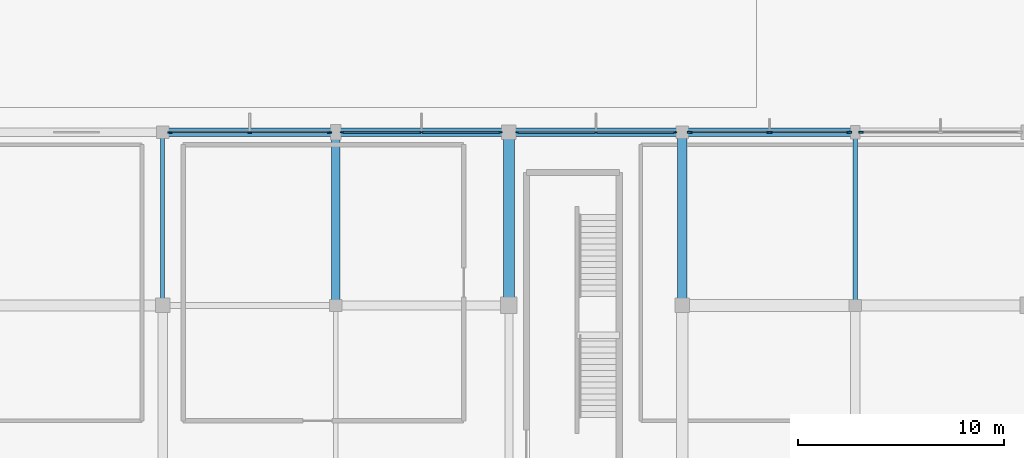
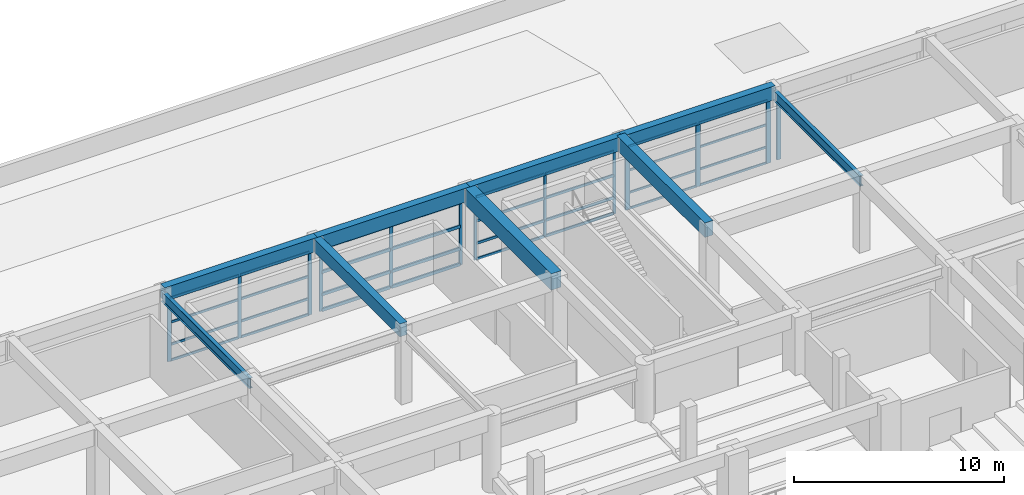
# One storey, part 26 of 60: 45 members, 9 beams, 5 elements without a shape of their own.
"""IFC4 building model written with IfcOpenShell, lengths in metres."""

from ifc_helpers import new_model, si_unit, direction, frame, origin, origin_2d, place, context, subcontext, project, spatial, rectangle, i_section, extrude, material, material_profile, profile_set, type_object, element, aggregate, save


model = new_model("IFC4")

# Units and contexts
model_context = context("Model", 3, precision=1e-05, world=origin(), true_north=direction((0.0, 1.0)))
body_context = subcontext(model_context, "Body", "Model", "MODEL_VIEW")
ifc_project = project(units=[si_unit("LENGTHUNIT", "METRE"), si_unit("AREAUNIT", "SQUARE_METRE"), si_unit("VOLUMEUNIT", "CUBIC_METRE"), si_unit("PLANEANGLEUNIT", "RADIAN"), si_unit("MASSUNIT", "GRAM", prefix="KILO")], contexts=[model_context])

# Site, building, storey
site_placement = place(None, origin())
site = spatial("IfcSite", under=ifc_project, at=site_placement, CompositionType="ELEMENT")
building_placement = place(site_placement, origin())
building = spatial("IfcBuilding", under=site, at=building_placement, Name="Xuanlan Plaza Opera House", CompositionType="ELEMENT")
storey_placement = place(building_placement, frame((0.0, 0.0, 9.89990234375)))
storey = spatial("IfcBuildingStorey", under=building, at=storey_placement, Name="L02", CompositionType="ELEMENT", Elevation=9.89990234375)

# Curtain wall, members
ifc_material_1 = material(Name="Anodised Aluminium 6063-T6 and Low-E Glass", Category="aluminium")
curtain_wall_type_1 = type_object("IfcCurtainWallType", Name="ENV-CW-CW-06", PredefinedType="USERDEFINED", material=ifc_material_1)
curtain_wall_1_placement = place(storey_placement, origin())
curtain_wall_1 = element("IfcCurtainWall", 1, at=curtain_wall_1_placement, inside=storey, type_object=curtain_wall_type_1, Name="Acoustic Glazed Wall L02-037", ObjectType="ACOUSTIC GLAZED WALL", PredefinedType="USERDEFINED")
ifc_material_2 = material(Name="Anodised Aluminium 6063-T6", Category="aluminium")
ifc_material_profile_1 = material_profile(ifc_material_2, rectangle(XDim=0.06494140625, YDim=0.159912109375, at=origin_2d()), Name="ALU-M 65x160")
ifc_profile_set_1 = profile_set([ifc_material_profile_1], Name="Anodised Aluminium 6063-T6")
member_type_1 = type_object("IfcMemberType", Name="ENV-CWM-01", PredefinedType="MULLION", material=ifc_profile_set_1)
member_1_placement = place(storey_placement, frame((92.047607421875, 100.800048828125, 0.0), z_axis=(0.0, 0.0, 1.0), x_axis=(0.0, -1.0, 0.0)))
member_1 = element("IfcMember", 2, at=member_1_placement, type_object=member_type_1, Name="CW-06 mullion 1", PredefinedType="MULLION", context=body_context, shape_type="SweptSolid", body=[
    extrude(rectangle(XDim=0.06494140625, YDim=0.159912109375, at=origin_2d()), origin(), (0.0, 0.0, 1.0), 3.68017578125),
])
member_2_placement = place(storey_placement, frame((88.22509765625, 100.800048828125, 0.0), z_axis=(0.0, 0.0, 1.0), x_axis=(0.0, -1.0, 0.0)))
member_2 = element("IfcMember", 3, at=member_2_placement, type_object=member_type_1, Name="CW-06 mullion 2", PredefinedType="MULLION", context=body_context, shape_type="SweptSolid", body=[
    extrude(rectangle(XDim=0.06494140625, YDim=0.159912109375, at=origin_2d()), origin(), (0.0, 0.0, 1.0), 3.68017578125),
])
member_3_placement = place(storey_placement, frame((84.402587890625, 100.800048828125, 0.0), z_axis=(0.0, 0.0, 1.0), x_axis=(0.0, -1.0, 0.0)))
member_3 = element("IfcMember", 4, at=member_3_placement, type_object=member_type_1, Name="CW-06 mullion 3", PredefinedType="MULLION", context=body_context, shape_type="SweptSolid", body=[
    extrude(rectangle(XDim=0.06494140625, YDim=0.159912109375, at=origin_2d()), origin(), (0.0, 0.0, 1.0), 3.68017578125),
])

curtain_wall_type_2 = type_object("IfcCurtainWallType", Name="ENV-CW-CW-05", PredefinedType="USERDEFINED", material=ifc_material_1)
curtain_wall_2_placement = place(storey_placement, origin())
curtain_wall_2 = element("IfcCurtainWall", 5, at=curtain_wall_2_placement, inside=storey, type_object=curtain_wall_type_2, Name="Acoustic Glazed Wall L02-038", ObjectType="ACOUSTIC GLAZED WALL", PredefinedType="USERDEFINED")
ifc_material_profile_2 = material_profile(ifc_material_2, rectangle(XDim=0.070068359375, YDim=0.179931640625, at=origin_2d()), Name="ALU-M 70x180")
ifc_profile_set_2 = profile_set([ifc_material_profile_2], Name="Anodised Aluminium 6063-T6")
member_type_2 = type_object("IfcMemberType", Name="ENV-CWM-02", PredefinedType="MULLION", material=ifc_profile_set_2)
member_4_placement = place(storey_placement, frame((83.594970703125, 100.800048828125, 0.0), z_axis=(0.0, 0.0, 1.0), x_axis=(0.0, -1.0, 0.0)))
member_4 = element("IfcMember", 6, at=member_4_placement, type_object=member_type_2, Name="CW-05 mullion 1", PredefinedType="MULLION", context=body_context, shape_type="SweptSolid", body=[
    extrude(rectangle(XDim=0.070068359375, YDim=0.179931640625, at=origin_2d()), origin(), (0.0, 0.0, 1.0), 3.68017578125),
])
member_5_placement = place(storey_placement, frame((79.75, 100.800048828125, 0.0), z_axis=(0.0, 0.0, 1.0), x_axis=(0.0, -1.0, 0.0)))
member_5 = element("IfcMember", 7, at=member_5_placement, type_object=member_type_2, Name="CW-05 mullion 2", PredefinedType="MULLION", context=body_context, shape_type="SweptSolid", body=[
    extrude(rectangle(XDim=0.070068359375, YDim=0.179931640625, at=origin_2d()), origin(), (0.0, 0.0, 1.0), 3.68017578125),
])
member_6_placement = place(storey_placement, frame((75.905029296875, 100.800048828125, 0.0), z_axis=(0.0, 0.0, 1.0), x_axis=(0.0, -1.0, 0.0)))
member_6 = element("IfcMember", 8, at=member_6_placement, type_object=member_type_2, Name="CW-05 mullion 3", PredefinedType="MULLION", context=body_context, shape_type="SweptSolid", body=[
    extrude(rectangle(XDim=0.070068359375, YDim=0.179931640625, at=origin_2d()), origin(), (0.0, 0.0, 1.0), 3.68017578125),
])

curtain_wall_3_placement = place(storey_placement, origin())
curtain_wall_3 = element("IfcCurtainWall", 9, at=curtain_wall_3_placement, inside=storey, type_object=curtain_wall_type_1, Name="Acoustic Glazed Wall L02-039", ObjectType="ACOUSTIC GLAZED WALL", PredefinedType="USERDEFINED")
ifc_material_profile_3 = material_profile(ifc_material_2, rectangle(XDim=0.074951171875, YDim=0.199951171875, at=origin_2d()), Name="ALU-M 75x200")
ifc_profile_set_3 = profile_set([ifc_material_profile_3], Name="Anodised Aluminium 6063-T6")
member_type_3 = type_object("IfcMemberType", Name="ENV-CWM-03", PredefinedType="MULLION", material=ifc_profile_set_3)
member_7_placement = place(storey_placement, frame((75.29248046875, 100.800048828125, 0.0), z_axis=(0.0, 0.0, 1.0), x_axis=(0.0, -1.0, 0.0)))
member_7 = element("IfcMember", 10, at=member_7_placement, type_object=member_type_3, Name="CW-06 mullion 1", PredefinedType="MULLION", context=body_context, shape_type="SweptSolid", body=[
    extrude(rectangle(XDim=0.074951171875, YDim=0.199951171875, at=origin_2d()), origin(), (0.0, 0.0, 1.0), 3.68017578125),
])
member_8_placement = place(storey_placement, frame((71.425048828125, 100.800048828125, 0.0), z_axis=(0.0, 0.0, 1.0), x_axis=(0.0, -1.0, 0.0)))
member_8 = element("IfcMember", 11, at=member_8_placement, type_object=member_type_3, Name="CW-06 mullion 2", PredefinedType="MULLION", context=body_context, shape_type="SweptSolid", body=[
    extrude(rectangle(XDim=0.074951171875, YDim=0.199951171875, at=origin_2d()), origin(), (0.0, 0.0, 1.0), 3.68017578125),
])
member_9_placement = place(storey_placement, frame((67.5576171875, 100.800048828125, 0.0), z_axis=(0.0, 0.0, 1.0), x_axis=(0.0, -1.0, 0.0)))
member_9 = element("IfcMember", 12, at=member_9_placement, type_object=member_type_3, Name="CW-06 mullion 3", PredefinedType="MULLION", context=body_context, shape_type="SweptSolid", body=[
    extrude(rectangle(XDim=0.074951171875, YDim=0.199951171875, at=origin_2d()), origin(), (0.0, 0.0, 1.0), 3.68017578125),
])

# Curtain wall, member
curtain_wall_4_placement = place(storey_placement, origin())
curtain_wall_4 = element("IfcCurtainWall", 13, at=curtain_wall_4_placement, inside=storey, type_object=curtain_wall_type_1, Name="Acoustic Glazed Wall L02-035", ObjectType="ACOUSTIC GLAZED WALL", PredefinedType="USERDEFINED")
ifc_material_profile_4 = material_profile(ifc_material_2, rectangle(XDim=0.080078125, YDim=0.219970703125, at=origin_2d()), Name="ALU-M 80x220")
ifc_profile_set_4 = profile_set([ifc_material_profile_4], Name="Anodised Aluminium 6063-T6")
member_type_4 = type_object("IfcMemberType", Name="ENV-CWM-04", PredefinedType="MULLION", material=ifc_profile_set_4)
member_10_placement = place(storey_placement, frame((101.0849609375, 100.800048828125, 0.0), z_axis=(0.0, 0.0, 1.0), x_axis=(0.0, -1.0, 0.0)))
member_10 = element("IfcMember", 14, at=member_10_placement, type_object=member_type_4, Name="CW-06 mullion 3", PredefinedType="MULLION", context=body_context, shape_type="SweptSolid", body=[
    extrude(rectangle(XDim=0.080078125, YDim=0.219970703125, at=origin_2d()), origin(), (0.0, 0.0, 1.0), 3.68017578125),
])
aggregate(curtain_wall_4, [member_10])

# Curtain wall, members
curtain_wall_5_placement = place(storey_placement, origin())
curtain_wall_5 = element("IfcCurtainWall", 15, at=curtain_wall_5_placement, inside=storey, type_object=curtain_wall_type_2, Name="Acoustic Glazed Wall L02-036", ObjectType="ACOUSTIC GLAZED WALL", PredefinedType="USERDEFINED")
ifc_material_profile_5 = material_profile(ifc_material_2, rectangle(XDim=0.090087890625, YDim=0.25, at=origin_2d()), Name="ALU-M 90x250")
ifc_profile_set_5 = profile_set([ifc_material_profile_5], Name="Anodised Aluminium 6063-T6")
member_type_5 = type_object("IfcMemberType", Name="ENV-CWM-05", PredefinedType="MULLION", material=ifc_profile_set_5)
member_11_placement = place(storey_placement, frame((100.510009765625, 100.800048828125, 0.0), z_axis=(0.0, 0.0, 1.0), x_axis=(0.0, -1.0, 0.0)))
member_11 = element("IfcMember", 16, at=member_11_placement, type_object=member_type_5, Name="CW-05 mullion 1", PredefinedType="MULLION", context=body_context, shape_type="SweptSolid", body=[
    extrude(rectangle(XDim=0.090087890625, YDim=0.25, at=origin_2d()), origin(), (0.0, 0.0, 1.0), 3.68017578125),
])
member_12_placement = place(storey_placement, frame((96.637451171875, 100.800048828125, 0.0), z_axis=(0.0, 0.0, 1.0), x_axis=(0.0, -1.0, 0.0)))
member_12 = element("IfcMember", 17, at=member_12_placement, type_object=member_type_5, Name="CW-05 mullion 2", PredefinedType="MULLION", context=body_context, shape_type="SweptSolid", body=[
    extrude(rectangle(XDim=0.090087890625, YDim=0.25, at=origin_2d()), origin(), (0.0, 0.0, 1.0), 3.68017578125),
])
member_13_placement = place(storey_placement, frame((92.764892578125, 100.800048828125, 0.0), z_axis=(0.0, 0.0, 1.0), x_axis=(0.0, -1.0, 0.0)))
member_13 = element("IfcMember", 18, at=member_13_placement, type_object=member_type_5, Name="CW-05 mullion 3", PredefinedType="MULLION", context=body_context, shape_type="SweptSolid", body=[
    extrude(rectangle(XDim=0.090087890625, YDim=0.25, at=origin_2d()), origin(), (0.0, 0.0, 1.0), 3.68017578125),
])
ifc_material_profile_6 = material_profile(ifc_material_2, rectangle(XDim=0.06494140625, YDim=0.1201171875, at=origin_2d()), Name="ALU-T 65x120")
ifc_profile_set_6 = profile_set([ifc_material_profile_6], Name="Anodised Aluminium 6063-T6")
member_type_6 = type_object("IfcMemberType", Name="ENV-CWT-01", PredefinedType="USERDEFINED", material=ifc_profile_set_6)
member_14_placement = place(storey_placement, frame((100.465087890625, 100.800048828125, 0.03271484375), z_axis=(-1.0, 0.0, 0.0), x_axis=(0.0, -1.0, 0.0)))
member_14 = element("IfcMember", 19, at=member_14_placement, type_object=member_type_6, Name="CW-05 transom 1.1", ObjectType="TRANSOM", PredefinedType="USERDEFINED", context=body_context, shape_type="SweptSolid", body=[
    extrude(rectangle(XDim=0.06494140625, YDim=0.1201171875, at=origin_2d()), origin(), (0.0, 0.0, 1.0), 3.782470703125),
])
member_15_placement = place(storey_placement, frame((100.465087890625, 100.800048828125, 0.9501953125), z_axis=(-1.0, 0.0, 0.0), x_axis=(0.0, -1.0, 0.0)))
member_15 = element("IfcMember", 20, at=member_15_placement, type_object=member_type_6, Name="CW-05 transom 1.2", ObjectType="TRANSOM", PredefinedType="USERDEFINED", context=body_context, shape_type="SweptSolid", body=[
    extrude(rectangle(XDim=0.06494140625, YDim=0.1201171875, at=origin_2d()), origin(), (0.0, 0.0, 1.0), 3.782470703125),
])
member_16_placement = place(storey_placement, frame((100.465087890625, 100.800048828125, 2.25), z_axis=(-1.0, 0.0, 0.0), x_axis=(0.0, -1.0, 0.0)))
member_16 = element("IfcMember", 21, at=member_16_placement, type_object=member_type_6, Name="CW-05 transom 1.3", ObjectType="TRANSOM", PredefinedType="USERDEFINED", context=body_context, shape_type="SweptSolid", body=[
    extrude(rectangle(XDim=0.06494140625, YDim=0.1201171875, at=origin_2d()), origin(), (0.0, 0.0, 1.0), 3.782470703125),
])
member_17_placement = place(storey_placement, frame((100.465087890625, 100.800048828125, 3.647705078125), z_axis=(-1.0, 0.0, 0.0), x_axis=(0.0, -1.0, 0.0)))
member_17 = element("IfcMember", 22, at=member_17_placement, type_object=member_type_6, Name="CW-05 transom 1.4", ObjectType="TRANSOM", PredefinedType="USERDEFINED", context=body_context, shape_type="SweptSolid", body=[
    extrude(rectangle(XDim=0.06494140625, YDim=0.1201171875, at=origin_2d()), origin(), (0.0, 0.0, 1.0), 3.782470703125),
])
member_18_placement = place(storey_placement, frame((96.592529296875, 100.800048828125, 0.03271484375), z_axis=(-1.0, 0.0, 0.0), x_axis=(0.0, -1.0, 0.0)))
member_18 = element("IfcMember", 23, at=member_18_placement, type_object=member_type_6, Name="CW-05 transom 2.1", ObjectType="TRANSOM", PredefinedType="USERDEFINED", context=body_context, shape_type="SweptSolid", body=[
    extrude(rectangle(XDim=0.06494140625, YDim=0.1201171875, at=origin_2d()), origin(), (0.0, 0.0, 1.0), 3.782470703125),
])
member_19_placement = place(storey_placement, frame((96.592529296875, 100.800048828125, 0.9501953125), z_axis=(-1.0, 0.0, 0.0), x_axis=(0.0, -1.0, 0.0)))
member_19 = element("IfcMember", 24, at=member_19_placement, type_object=member_type_6, Name="CW-05 transom 2.2", ObjectType="TRANSOM", PredefinedType="USERDEFINED", context=body_context, shape_type="SweptSolid", body=[
    extrude(rectangle(XDim=0.06494140625, YDim=0.1201171875, at=origin_2d()), origin(), (0.0, 0.0, 1.0), 3.782470703125),
])
member_20_placement = place(storey_placement, frame((96.592529296875, 100.800048828125, 2.25), z_axis=(-1.0, 0.0, 0.0), x_axis=(0.0, -1.0, 0.0)))
member_20 = element("IfcMember", 25, at=member_20_placement, type_object=member_type_6, Name="CW-05 transom 2.3", ObjectType="TRANSOM", PredefinedType="USERDEFINED", context=body_context, shape_type="SweptSolid", body=[
    extrude(rectangle(XDim=0.06494140625, YDim=0.1201171875, at=origin_2d()), origin(), (0.0, 0.0, 1.0), 3.782470703125),
])
member_21_placement = place(storey_placement, frame((96.592529296875, 100.800048828125, 3.647705078125), z_axis=(-1.0, 0.0, 0.0), x_axis=(0.0, -1.0, 0.0)))
member_21 = element("IfcMember", 26, at=member_21_placement, type_object=member_type_6, Name="CW-05 transom 2.4", ObjectType="TRANSOM", PredefinedType="USERDEFINED", context=body_context, shape_type="SweptSolid", body=[
    extrude(rectangle(XDim=0.06494140625, YDim=0.1201171875, at=origin_2d()), origin(), (0.0, 0.0, 1.0), 3.782470703125),
])
aggregate(curtain_wall_5, [member_11, member_12, member_13, member_14, member_15, member_16, member_17, member_18, member_19, member_20, member_21])

# Member
ifc_material_profile_7 = material_profile(ifc_material_2, rectangle(XDim=0.070068359375, YDim=0.135009765625, at=origin_2d()), Name="ALU-T 70x135")
ifc_profile_set_7 = profile_set([ifc_material_profile_7], Name="Anodised Aluminium 6063-T6")
member_type_7 = type_object("IfcMemberType", Name="ENV-CWT-02", PredefinedType="USERDEFINED", material=ifc_profile_set_7)
member_22_placement = place(storey_placement, frame((75.2548828125, 100.800048828125, 0.03515625), z_axis=(-1.0, 0.0, 0.0), x_axis=(0.0, -1.0, 0.0)))
member_22 = element("IfcMember", 27, at=member_22_placement, type_object=member_type_7, Name="CW-06 transom 1.1", ObjectType="TRANSOM", PredefinedType="USERDEFINED", context=body_context, shape_type="SweptSolid", body=[
    extrude(rectangle(XDim=0.070068359375, YDim=0.135009765625, at=origin_2d()), origin(), (0.0, 0.0, 1.0), 3.79248046875),
])

member_23_placement = place(storey_placement, frame((75.2548828125, 100.800048828125, 0.9501953125), z_axis=(-1.0, 0.0, 0.0), x_axis=(0.0, -1.0, 0.0)))
member_23 = element("IfcMember", 28, at=member_23_placement, type_object=member_type_7, Name="CW-06 transom 1.2", ObjectType="TRANSOM", PredefinedType="USERDEFINED", context=body_context, shape_type="SweptSolid", body=[
    extrude(rectangle(XDim=0.070068359375, YDim=0.135009765625, at=origin_2d()), origin(), (0.0, 0.0, 1.0), 3.79248046875),
])

member_24_placement = place(storey_placement, frame((75.2548828125, 100.800048828125, 2.25), z_axis=(-1.0, 0.0, 0.0), x_axis=(0.0, -1.0, 0.0)))
member_24 = element("IfcMember", 29, at=member_24_placement, type_object=member_type_7, Name="CW-06 transom 1.3", ObjectType="TRANSOM", PredefinedType="USERDEFINED", context=body_context, shape_type="SweptSolid", body=[
    extrude(rectangle(XDim=0.070068359375, YDim=0.135009765625, at=origin_2d()), origin(), (0.0, 0.0, 1.0), 3.79248046875),
])

member_25_placement = place(storey_placement, frame((75.2548828125, 100.800048828125, 3.64501953125), z_axis=(-1.0, 0.0, 0.0), x_axis=(0.0, -1.0, 0.0)))
member_25 = element("IfcMember", 30, at=member_25_placement, type_object=member_type_7, Name="CW-06 transom 1.4", ObjectType="TRANSOM", PredefinedType="USERDEFINED", context=body_context, shape_type="SweptSolid", body=[
    extrude(rectangle(XDim=0.070068359375, YDim=0.135009765625, at=origin_2d()), origin(), (0.0, 0.0, 1.0), 3.79248046875),
])

member_26_placement = place(storey_placement, frame((71.387451171875, 100.800048828125, 0.03515625), z_axis=(-1.0, 0.0, 0.0), x_axis=(0.0, -1.0, 0.0)))
member_26 = element("IfcMember", 31, at=member_26_placement, type_object=member_type_7, Name="CW-06 transom 2.1", ObjectType="TRANSOM", PredefinedType="USERDEFINED", context=body_context, shape_type="SweptSolid", body=[
    extrude(rectangle(XDim=0.070068359375, YDim=0.135009765625, at=origin_2d()), origin(), (0.0, 0.0, 1.0), 3.79248046875),
])

member_27_placement = place(storey_placement, frame((71.387451171875, 100.800048828125, 0.9501953125), z_axis=(-1.0, 0.0, 0.0), x_axis=(0.0, -1.0, 0.0)))
member_27 = element("IfcMember", 32, at=member_27_placement, type_object=member_type_7, Name="CW-06 transom 2.2", ObjectType="TRANSOM", PredefinedType="USERDEFINED", context=body_context, shape_type="SweptSolid", body=[
    extrude(rectangle(XDim=0.070068359375, YDim=0.135009765625, at=origin_2d()), origin(), (0.0, 0.0, 1.0), 3.79248046875),
])

member_28_placement = place(storey_placement, frame((71.387451171875, 100.800048828125, 2.25), z_axis=(-1.0, 0.0, 0.0), x_axis=(0.0, -1.0, 0.0)))
member_28 = element("IfcMember", 33, at=member_28_placement, type_object=member_type_7, Name="CW-06 transom 2.3", ObjectType="TRANSOM", PredefinedType="USERDEFINED", context=body_context, shape_type="SweptSolid", body=[
    extrude(rectangle(XDim=0.070068359375, YDim=0.135009765625, at=origin_2d()), origin(), (0.0, 0.0, 1.0), 3.79248046875),
])

member_29_placement = place(storey_placement, frame((71.387451171875, 100.800048828125, 3.64501953125), z_axis=(-1.0, 0.0, 0.0), x_axis=(0.0, -1.0, 0.0)))
member_29 = element("IfcMember", 34, at=member_29_placement, type_object=member_type_7, Name="CW-06 transom 2.4", ObjectType="TRANSOM", PredefinedType="USERDEFINED", context=body_context, shape_type="SweptSolid", body=[
    extrude(rectangle(XDim=0.070068359375, YDim=0.135009765625, at=origin_2d()), origin(), (0.0, 0.0, 1.0), 3.79248046875),
])

aggregate(curtain_wall_3, [member_7, member_8, member_9, member_22, member_23, member_24, member_25, member_26, member_27, member_28, member_29])

ifc_material_profile_8 = material_profile(ifc_material_2, rectangle(XDim=0.074951171875, YDim=0.14990234375, at=origin_2d()), Name="ALU-T 75x150")
ifc_profile_set_8 = profile_set([ifc_material_profile_8], Name="Anodised Aluminium 6063-T6")
member_type_8 = type_object("IfcMemberType", Name="ENV-CWT-03", PredefinedType="USERDEFINED", material=ifc_profile_set_8)
member_30_placement = place(storey_placement, frame((92.014892578125, 100.800048828125, 0.03759765625), z_axis=(-1.0, 0.0, 0.0), x_axis=(0.0, -1.0, 0.0)))
member_30 = element("IfcMember", 35, at=member_30_placement, type_object=member_type_8, Name="CW-06 transom 1.1", ObjectType="TRANSOM", PredefinedType="USERDEFINED", context=body_context, shape_type="SweptSolid", body=[
    extrude(rectangle(XDim=0.074951171875, YDim=0.14990234375, at=origin_2d()), origin(), (0.0, 0.0, 1.0), 3.75732421875),
])

member_31_placement = place(storey_placement, frame((92.014892578125, 100.800048828125, 0.9501953125), z_axis=(-1.0, 0.0, 0.0), x_axis=(0.0, -1.0, 0.0)))
member_31 = element("IfcMember", 36, at=member_31_placement, type_object=member_type_8, Name="CW-06 transom 1.2", ObjectType="TRANSOM", PredefinedType="USERDEFINED", context=body_context, shape_type="SweptSolid", body=[
    extrude(rectangle(XDim=0.074951171875, YDim=0.14990234375, at=origin_2d()), origin(), (0.0, 0.0, 1.0), 3.75732421875),
])

member_32_placement = place(storey_placement, frame((92.014892578125, 100.800048828125, 2.25), z_axis=(-1.0, 0.0, 0.0), x_axis=(0.0, -1.0, 0.0)))
member_32 = element("IfcMember", 37, at=member_32_placement, type_object=member_type_8, Name="CW-06 transom 1.3", ObjectType="TRANSOM", PredefinedType="USERDEFINED", context=body_context, shape_type="SweptSolid", body=[
    extrude(rectangle(XDim=0.074951171875, YDim=0.14990234375, at=origin_2d()), origin(), (0.0, 0.0, 1.0), 3.75732421875),
])

member_33_placement = place(storey_placement, frame((92.014892578125, 100.800048828125, 3.642578125), z_axis=(-1.0, 0.0, 0.0), x_axis=(0.0, -1.0, 0.0)))
member_33 = element("IfcMember", 38, at=member_33_placement, type_object=member_type_8, Name="CW-06 transom 1.4", ObjectType="TRANSOM", PredefinedType="USERDEFINED", context=body_context, shape_type="SweptSolid", body=[
    extrude(rectangle(XDim=0.074951171875, YDim=0.14990234375, at=origin_2d()), origin(), (0.0, 0.0, 1.0), 3.75732421875),
])

member_34_placement = place(storey_placement, frame((88.1923828125, 100.800048828125, 0.03759765625), z_axis=(-1.0, 0.0, 0.0), x_axis=(0.0, -1.0, 0.0)))
member_34 = element("IfcMember", 39, at=member_34_placement, type_object=member_type_8, Name="CW-06 transom 2.1", ObjectType="TRANSOM", PredefinedType="USERDEFINED", context=body_context, shape_type="SweptSolid", body=[
    extrude(rectangle(XDim=0.074951171875, YDim=0.14990234375, at=origin_2d()), origin(), (0.0, 0.0, 1.0), 3.75732421875),
])

member_35_placement = place(storey_placement, frame((88.1923828125, 100.800048828125, 0.9501953125), z_axis=(-1.0, 0.0, 0.0), x_axis=(0.0, -1.0, 0.0)))
member_35 = element("IfcMember", 40, at=member_35_placement, type_object=member_type_8, Name="CW-06 transom 2.2", ObjectType="TRANSOM", PredefinedType="USERDEFINED", context=body_context, shape_type="SweptSolid", body=[
    extrude(rectangle(XDim=0.074951171875, YDim=0.14990234375, at=origin_2d()), origin(), (0.0, 0.0, 1.0), 3.75732421875),
])

member_36_placement = place(storey_placement, frame((88.1923828125, 100.800048828125, 2.25), z_axis=(-1.0, 0.0, 0.0), x_axis=(0.0, -1.0, 0.0)))
member_36 = element("IfcMember", 41, at=member_36_placement, type_object=member_type_8, Name="CW-06 transom 2.3", ObjectType="TRANSOM", PredefinedType="USERDEFINED", context=body_context, shape_type="SweptSolid", body=[
    extrude(rectangle(XDim=0.074951171875, YDim=0.14990234375, at=origin_2d()), origin(), (0.0, 0.0, 1.0), 3.75732421875),
])

member_37_placement = place(storey_placement, frame((88.1923828125, 100.800048828125, 3.642578125), z_axis=(-1.0, 0.0, 0.0), x_axis=(0.0, -1.0, 0.0)))
member_37 = element("IfcMember", 42, at=member_37_placement, type_object=member_type_8, Name="CW-06 transom 2.4", ObjectType="TRANSOM", PredefinedType="USERDEFINED", context=body_context, shape_type="SweptSolid", body=[
    extrude(rectangle(XDim=0.074951171875, YDim=0.14990234375, at=origin_2d()), origin(), (0.0, 0.0, 1.0), 3.75732421875),
])

aggregate(curtain_wall_1, [member_1, member_2, member_3, member_30, member_31, member_32, member_33, member_34, member_35, member_36, member_37])

ifc_material_profile_9 = material_profile(ifc_material_2, rectangle(XDim=0.090087890625, YDim=0.179931640625, at=origin_2d()), Name="ALU-T 90x180")
ifc_profile_set_9 = profile_set([ifc_material_profile_9], Name="Anodised Aluminium 6063-T6")
member_type_9 = type_object("IfcMemberType", Name="ENV-CWT-05", PredefinedType="USERDEFINED", material=ifc_profile_set_9)
member_38_placement = place(storey_placement, frame((83.56005859375, 100.800048828125, 0.045166015625), z_axis=(-1.0, 0.0, 0.0), x_axis=(0.0, -1.0, 0.0)))
member_38 = element("IfcMember", 43, at=member_38_placement, type_object=member_type_9, Name="CW-05 transom 1.1", ObjectType="TRANSOM", PredefinedType="USERDEFINED", context=body_context, shape_type="SweptSolid", body=[
    extrude(rectangle(XDim=0.090087890625, YDim=0.179931640625, at=origin_2d()), origin(), (0.0, 0.0, 1.0), 3.775146484375),
])

member_39_placement = place(storey_placement, frame((83.56005859375, 100.800048828125, 0.9501953125), z_axis=(-1.0, 0.0, 0.0), x_axis=(0.0, -1.0, 0.0)))
member_39 = element("IfcMember", 44, at=member_39_placement, type_object=member_type_9, Name="CW-05 transom 1.2", ObjectType="TRANSOM", PredefinedType="USERDEFINED", context=body_context, shape_type="SweptSolid", body=[
    extrude(rectangle(XDim=0.090087890625, YDim=0.179931640625, at=origin_2d()), origin(), (0.0, 0.0, 1.0), 3.775146484375),
])

member_40_placement = place(storey_placement, frame((83.56005859375, 100.800048828125, 2.25), z_axis=(-1.0, 0.0, 0.0), x_axis=(0.0, -1.0, 0.0)))
member_40 = element("IfcMember", 45, at=member_40_placement, type_object=member_type_9, Name="CW-05 transom 1.3", ObjectType="TRANSOM", PredefinedType="USERDEFINED", context=body_context, shape_type="SweptSolid", body=[
    extrude(rectangle(XDim=0.090087890625, YDim=0.179931640625, at=origin_2d()), origin(), (0.0, 0.0, 1.0), 3.775146484375),
])

member_41_placement = place(storey_placement, frame((83.56005859375, 100.800048828125, 3.635009765625), z_axis=(-1.0, 0.0, 0.0), x_axis=(0.0, -1.0, 0.0)))
member_41 = element("IfcMember", 46, at=member_41_placement, type_object=member_type_9, Name="CW-05 transom 1.4", ObjectType="TRANSOM", PredefinedType="USERDEFINED", context=body_context, shape_type="SweptSolid", body=[
    extrude(rectangle(XDim=0.090087890625, YDim=0.179931640625, at=origin_2d()), origin(), (0.0, 0.0, 1.0), 3.775146484375),
])

member_42_placement = place(storey_placement, frame((79.715087890625, 100.800048828125, 0.045166015625), z_axis=(-1.0, 0.0, 0.0), x_axis=(0.0, -1.0, 0.0)))
member_42 = element("IfcMember", 47, at=member_42_placement, type_object=member_type_9, Name="CW-05 transom 2.1", ObjectType="TRANSOM", PredefinedType="USERDEFINED", context=body_context, shape_type="SweptSolid", body=[
    extrude(rectangle(XDim=0.090087890625, YDim=0.179931640625, at=origin_2d()), origin(), (0.0, 0.0, 1.0), 3.775146484375),
])

member_43_placement = place(storey_placement, frame((79.715087890625, 100.800048828125, 0.9501953125), z_axis=(-1.0, 0.0, 0.0), x_axis=(0.0, -1.0, 0.0)))
member_43 = element("IfcMember", 48, at=member_43_placement, type_object=member_type_9, Name="CW-05 transom 2.2", ObjectType="TRANSOM", PredefinedType="USERDEFINED", context=body_context, shape_type="SweptSolid", body=[
    extrude(rectangle(XDim=0.090087890625, YDim=0.179931640625, at=origin_2d()), origin(), (0.0, 0.0, 1.0), 3.775146484375),
])

member_44_placement = place(storey_placement, frame((79.715087890625, 100.800048828125, 2.25), z_axis=(-1.0, 0.0, 0.0), x_axis=(0.0, -1.0, 0.0)))
member_44 = element("IfcMember", 49, at=member_44_placement, type_object=member_type_9, Name="CW-05 transom 2.3", ObjectType="TRANSOM", PredefinedType="USERDEFINED", context=body_context, shape_type="SweptSolid", body=[
    extrude(rectangle(XDim=0.090087890625, YDim=0.179931640625, at=origin_2d()), origin(), (0.0, 0.0, 1.0), 3.775146484375),
])

member_45_placement = place(storey_placement, frame((79.715087890625, 100.800048828125, 3.635009765625), z_axis=(-1.0, 0.0, 0.0), x_axis=(0.0, -1.0, 0.0)))
member_45 = element("IfcMember", 50, at=member_45_placement, type_object=member_type_9, Name="CW-05 transom 2.4", ObjectType="TRANSOM", PredefinedType="USERDEFINED", context=body_context, shape_type="SweptSolid", body=[
    extrude(rectangle(XDim=0.090087890625, YDim=0.179931640625, at=origin_2d()), origin(), (0.0, 0.0, 1.0), 3.775146484375),
])

aggregate(curtain_wall_2, [member_4, member_5, member_6, member_38, member_39, member_40, member_41, member_42, member_43, member_44, member_45])

# Beams
ifc_material_3 = material(Name="Concrete C50", Category="concrete")
ifc_material_profile_10 = material_profile(ifc_material_3, rectangle(XDim=0.550048828125, YDim=0.949951171875, at=origin_2d()), Name="RC-BM 550x950")
ifc_profile_set_10 = profile_set([ifc_material_profile_10], Name="Concrete C50")
beam_type_1 = type_object("IfcBeamType", Name="STR-BM-B-02", PredefinedType="BEAM", material=ifc_profile_set_10)
beam_1_placement = place(storey_placement, frame((84.0, 92.39990234375, 4.025146484375), z_axis=(0.0, 1.0, 0.0), x_axis=(-1.0, 0.0, 0.0)))
element("IfcBeam", 51, at=beam_1_placement, inside=storey, type_object=beam_type_1, Name="Grid Beam Y L02 11/L-M", PredefinedType="BEAM", context=body_context, shape_type="SweptSolid", body=[
    extrude(rectangle(XDim=0.550048828125, YDim=0.949951171875, at=origin_2d()), origin(), (0.0, 0.0, 1.0), 8.400146484375),
])
ifc_material_4 = material(Name="Concrete C40", Category="concrete")
ifc_material_profile_11 = material_profile(ifc_material_4, rectangle(XDim=0.449951171875, YDim=0.85009765625, at=origin_2d()), Name="RC-BM 450x850")
ifc_profile_set_11 = profile_set([ifc_material_profile_11], Name="Concrete C40")
beam_type_2 = type_object("IfcBeamType", Name="STR-BM-B-04", PredefinedType="BEAM", material=ifc_profile_set_11)
beam_2_placement = place(storey_placement, frame((92.39990234375, 92.39990234375, 4.0751953125), z_axis=(0.0, 1.0, 0.0), x_axis=(-1.0, 0.0, 0.0)))
element("IfcBeam", 52, at=beam_2_placement, inside=storey, type_object=beam_type_2, Name="Grid Beam Y L02 12/L-M", PredefinedType="BEAM", context=body_context, shape_type="SweptSolid", body=[
    extrude(rectangle(XDim=0.449951171875, YDim=0.85009765625, at=origin_2d()), origin(), (0.0, 0.0, 1.0), 8.400146484375),
])
ifc_material_profile_12 = material_profile(ifc_material_4, rectangle(XDim=0.39990234375, YDim=0.75, at=origin_2d()), Name="RC-BM 400x750")
ifc_profile_set_12 = profile_set([ifc_material_profile_12], Name="Concrete C40")
beam_type_3 = type_object("IfcBeamType", Name="STR-BM-B-06", PredefinedType="BEAM", material=ifc_profile_set_12)
beam_3_placement = place(storey_placement, frame((75.60009765625, 92.39990234375, 4.125), z_axis=(0.0, 1.0, 0.0), x_axis=(-1.0, 0.0, 0.0)))
element("IfcBeam", 53, at=beam_3_placement, inside=storey, type_object=beam_type_3, Name="Grid Beam Y L02 10/L-M", PredefinedType="BEAM", context=body_context, shape_type="SweptSolid", body=[
    extrude(rectangle(XDim=0.39990234375, YDim=0.75, at=origin_2d()), origin(), (0.0, 0.0, 1.0), 8.400146484375),
])
ifc_material_5 = material(Name="Steel Q355B", Category="steel")
ifc_material_profile_13 = material_profile(ifc_material_5, i_section(OverallWidth=0.199951171875, OverallDepth=0.60009765625, WebThickness=0.010986328125, FlangeThickness=0.01708984375, FilletRadius=0.02197265625, at=origin_2d()), Name="HN 600x200x11x17")
ifc_profile_set_13 = profile_set([ifc_material_profile_13], Name="Steel Q355B")
beam_type_4 = type_object("IfcBeamType", Name="STR-BM-SB-04", PredefinedType="BEAM", material=ifc_profile_set_13)
for number, where, z_axis, x_axis, name in (
    (54, (67.199951171875, 92.39990234375, 3.93505859375), (0.0, 1.0, 0.0), (-1.0, 0.0, 0.0), "Grid Beam Y L02 9/L-M"),
    (55, (100.800048828125, 92.39990234375, 3.93505859375), (0.0, 1.0, 0.0), (-1.0, 0.0, 0.0), "Grid Beam Y L02 13/L-M"),
):
    element("IfcBeam", number, at=place(storey_placement, frame(where, z_axis=z_axis, x_axis=x_axis)), inside=storey, type_object=beam_type_4, Name=name, PredefinedType="BEAM", context=body_context, shape_type="SweptSolid", body=[
        extrude(i_section(OverallWidth=0.199951171875, OverallDepth=0.60009765625, WebThickness=0.010986328125, FlangeThickness=0.01708984375, FilletRadius=0.02197265625, at=origin_2d()), origin(), (0.0, 0.0, 1.0), 8.400146484375),
    ])
ifc_material_profile_14 = material_profile(ifc_material_4, rectangle(XDim=0.39990234375, YDim=0.800048828125, at=origin_2d()), Name="RC-SPD 400x800")
ifc_profile_set_14 = profile_set([ifc_material_profile_14], Name="Concrete C40")
beam_type_5 = type_object("IfcBeamType", Name="STR-BM-SP-01", PredefinedType="SPANDREL", material=ifc_profile_set_14)
beam_4_placement = place(storey_placement, frame((67.199951171875, 100.800048828125, 4.10009765625), z_axis=(1.0, 0.0, 0.0), x_axis=(0.0, 1.0, 0.0)))
element("IfcBeam", 56, at=beam_4_placement, inside=storey, type_object=beam_type_5, Name="Grid Beam X L02 9-10/M", PredefinedType="SPANDREL", context=body_context, shape_type="SweptSolid", body=[
    extrude(rectangle(XDim=0.39990234375, YDim=0.800048828125, at=origin_2d()), origin(), (0.0, 0.0, 1.0), 8.400146484375),
])
for number, where, z_axis, x_axis, name in (
    (57, (75.60009765625, 100.800048828125, 4.10009765625), (1.0, 0.0, 0.0), (0.0, 1.0, 0.0), "Grid Beam X L02 10-11/M"),
    (58, (84.0, 100.800048828125, 4.10009765625), (1.0, 0.0, 0.0), (0.0, 1.0, 0.0), "Grid Beam X L02 11-12/M"),
):
    element("IfcBeam", number, at=place(storey_placement, frame(where, z_axis=z_axis, x_axis=x_axis)), inside=storey, type_object=beam_type_5, Name=name, PredefinedType="SPANDREL", context=body_context, shape_type="SweptSolid", body=[
        extrude(rectangle(XDim=0.39990234375, YDim=0.800048828125, at=origin_2d()), origin(), (0.0, 0.0, 1.0), 8.39990234375),
    ])
beam_5_placement = place(storey_placement, frame((92.39990234375, 100.800048828125, 4.10009765625), z_axis=(1.0, 0.0, 0.0), x_axis=(0.0, 1.0, 0.0)))
element("IfcBeam", 59, at=beam_5_placement, inside=storey, type_object=beam_type_5, Name="Grid Beam X L02 12-13/M", PredefinedType="SPANDREL", context=body_context, shape_type="SweptSolid", body=[
    extrude(rectangle(XDim=0.39990234375, YDim=0.800048828125, at=origin_2d()), origin(), (0.0, 0.0, 1.0), 8.400146484375),
])

save(model, "model.ifc")
